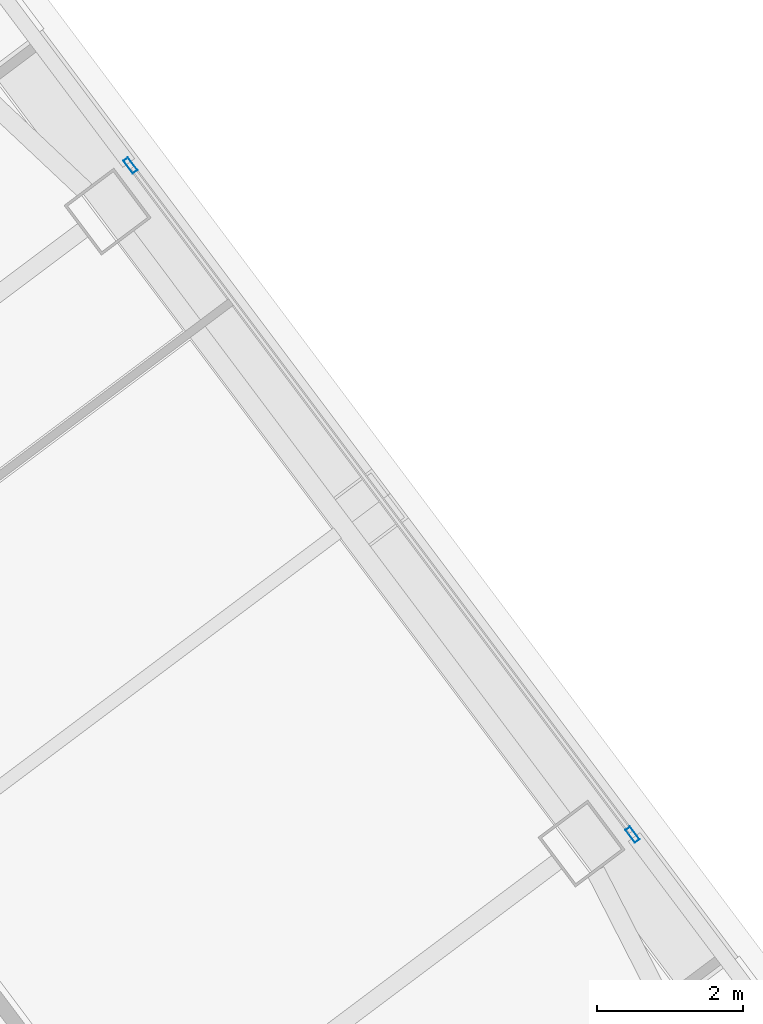
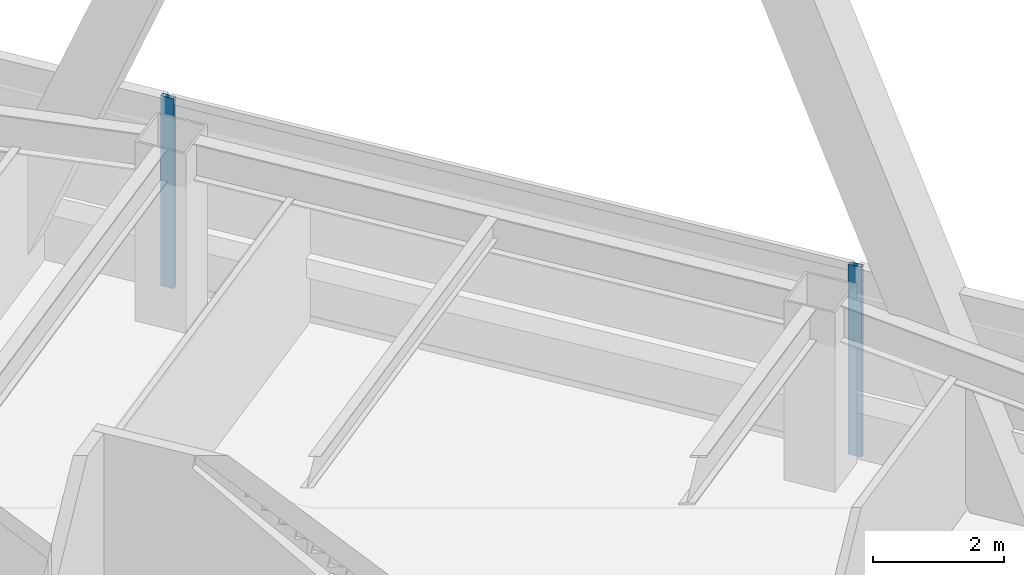
# One storey, part 39 of 54: 2 members, 1 element without a shape of its own.
"""IFC4 building model written with IfcOpenShell, lengths in metres."""

from ifc_helpers import new_model, si_unit, direction, frame, origin, origin_2d, place, context, subcontext, project, spatial, hollow_rectangle, extrude, material, material_profile, profile_set, type_object, element, aggregate, save


model = new_model("IFC4")

# Units and contexts
model_context = context("Model", 3, precision=1e-05, world=origin(), true_north=direction((0.0, 1.0)))
body_context = subcontext(model_context, "Body", "Model", "MODEL_VIEW")
ifc_project = project(units=[si_unit("LENGTHUNIT", "METRE"), si_unit("AREAUNIT", "SQUARE_METRE"), si_unit("VOLUMEUNIT", "CUBIC_METRE"), si_unit("PLANEANGLEUNIT", "RADIAN"), si_unit("MASSUNIT", "GRAM", prefix="KILO")], contexts=[model_context])

# Site, building, storey
site_placement = place(None, origin())
site = spatial("IfcSite", under=ifc_project, at=site_placement, CompositionType="ELEMENT")
building_placement = place(site_placement, origin())
building = spatial("IfcBuilding", under=site, at=building_placement, Name="Tashvorn Skyway Center", CompositionType="ELEMENT")
storey_placement = place(building_placement, frame((0.0, 0.0, 88.5)))
storey = spatial("IfcBuildingStorey", under=building, at=storey_placement, Name="L23", CompositionType="ELEMENT", Elevation=88.5)

# Curtain wall, members
ifc_material = material(Name="Thermally broken bronze-anodized aluminium 6063-T6", Category="aluminium")
curtain_wall_type = type_object("IfcCurtainWallType", Name="CW-CW-Z2", PredefinedType="NOTDEFINED", material=ifc_material)
curtain_wall_placement = place(storey_placement, origin())
curtain_wall = element("IfcCurtainWall", 1, at=curtain_wall_placement, inside=storey, type_object=curtain_wall_type, Name="Tower 2 L23 East Unitised Curtain Wall Glazing Group 2", PredefinedType="NOTDEFINED")
ifc_material_profile = material_profile(ifc_material, hollow_rectangle(XDim=0.080078125, YDim=0.219970703125, WallThickness=0.0048828125, at=origin_2d()), Name="ALU-MULL-80x220")
ifc_profile_set = profile_set([ifc_material_profile], Name="Thermally broken bronze-anodized aluminium 6063-T6")
member_type = type_object("IfcMemberType", Name="CWM-CW-Z2", PredefinedType="MULLION", material=ifc_profile_set)
member_1_placement = place(storey_placement, frame((126.471923828125, 48.50390625, 0.0), z_axis=(0.0, 0.0, 1.0), x_axis=(0.799999999998, 0.600000000002, 0.0)))
member_1 = element("IfcMember", 2, at=member_1_placement, type_object=member_type, Name="CW-Z2 mullion 1", PredefinedType="MULLION", context=body_context, shape_type="SweptSolid", body=[
    extrude(hollow_rectangle(XDim=0.080078125, YDim=0.219970703125, WallThickness=0.0048828125, at=origin_2d()), origin(), (0.0, 0.0, 1.0), 3.550048828125),
])
member_2_placement = place(storey_placement, frame((133.3359375, 39.35205078125, 0.0), z_axis=(0.0, 0.0, 1.0), x_axis=(0.799999999998, 0.600000000002, 0.0)))
member_2 = element("IfcMember", 3, at=member_2_placement, type_object=member_type, Name="CW-Z2 mullion 2", PredefinedType="MULLION", context=body_context, shape_type="SweptSolid", body=[
    extrude(hollow_rectangle(XDim=0.080078125, YDim=0.219970703125, WallThickness=0.0048828125, at=origin_2d()), origin(), (0.0, 0.0, 1.0), 3.550048828125),
])
aggregate(curtain_wall, [member_1, member_2])

save(model, "model.ifc")
